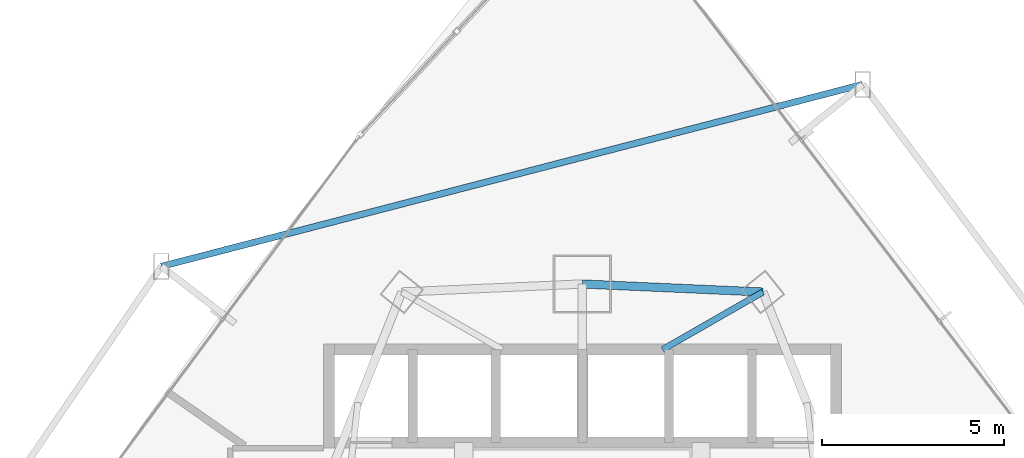
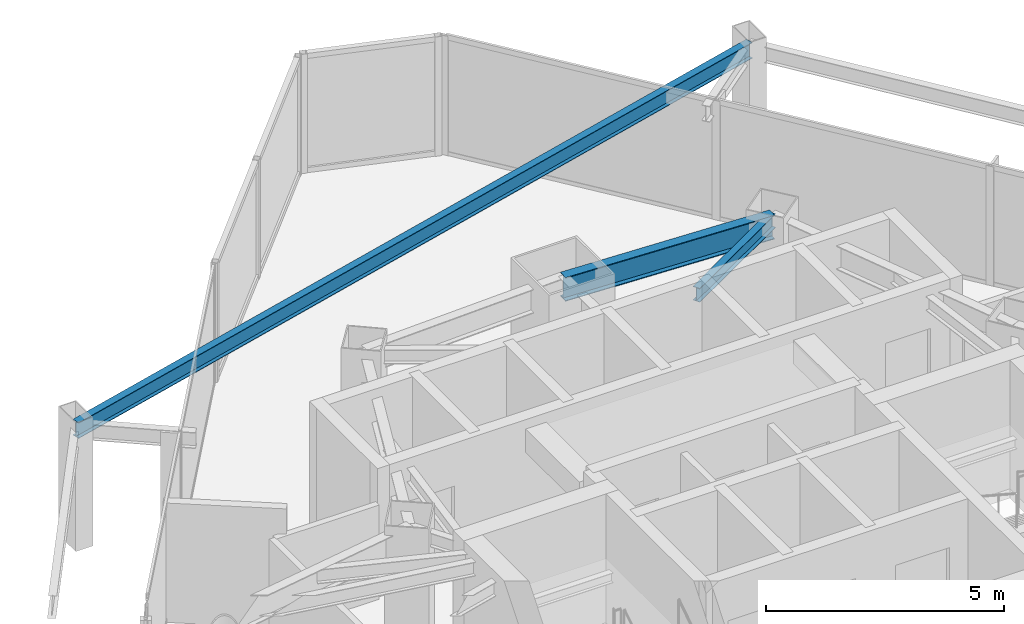
# One storey, part 23 of 34: 3 beams.
"""IFC4 building model written with IfcOpenShell, lengths in metres."""

from ifc_helpers import new_model, si_unit, direction, frame, origin, origin_2d, place, context, subcontext, project, spatial, i_section, extrude, material, material_profile, profile_set, type_object, element, save


model = new_model("IFC4")

# Units and contexts
model_context = context("Model", 3, precision=1e-05, world=origin(), true_north=direction((0.0, 1.0)))
body_context = subcontext(model_context, "Body", "Model", "MODEL_VIEW")
ifc_project = project(units=[si_unit("LENGTHUNIT", "METRE"), si_unit("AREAUNIT", "SQUARE_METRE"), si_unit("VOLUMEUNIT", "CUBIC_METRE"), si_unit("PLANEANGLEUNIT", "RADIAN"), si_unit("MASSUNIT", "GRAM", prefix="KILO")], contexts=[model_context])

# Site, building, storey
site_placement = place(None, origin())
site = spatial("IfcSite", under=ifc_project, at=site_placement, CompositionType="ELEMENT")
building_placement = place(site_placement, origin())
building = spatial("IfcBuilding", under=site, at=building_placement, Name="Orvanel Arch Residences", CompositionType="ELEMENT")
storey_placement = place(building_placement, frame((0.0, 0.0, 67.550048828125)))
storey = spatial("IfcBuildingStorey", under=building, at=storey_placement, Name="L18", CompositionType="ELEMENT", Elevation=67.550048828125)

# Beams
ifc_material = material(Name="Structural steel AS/NZS 3679.1 Grade 300 (300 MPa)", Category="steel")
ifc_material_profile_1 = material_profile(ifc_material, i_section(OverallWidth=0.1708984375, OverallDepth=0.35595703125, WebThickness=0.00732421875, FlangeThickness=0.011474609375, at=origin_2d()), Name="360UB50.7")
ifc_profile_set_1 = profile_set([ifc_material_profile_1], Name="Structural steel AS/NZS 3679.1 Grade 300 (300 MPa)")
beam_type_1 = type_object("IfcBeamType", Name="BJ-360UB", PredefinedType="JOIST", material=ifc_profile_set_1)
beam_1_placement = place(storey_placement, frame((35.199951171875, 39.60009765625, 2.8818359375), z_axis=(0.86736513383, 0.497672306458, 0.0), x_axis=(-0.497672306458, 0.86736513383, 0.0)))
element("IfcBeam", 1, at=beam_1_placement, inside=storey, type_object=beam_type_1, Name="L18 MNE Wing Floor Joist", PredefinedType="JOIST", context=body_context, shape_type="SweptSolid", body=[
    extrude(i_section(OverallWidth=0.1708984375, OverallDepth=0.35595703125, WebThickness=0.00732421875, FlangeThickness=0.011474609375, at=origin_2d()), origin(), (0.0, 0.0, 1.0), 3.17041015625),
])
ifc_material_profile_2 = material_profile(ifc_material, i_section(OverallWidth=0.177978515625, OverallDepth=0.406005859375, WebThickness=0.0078125, FlangeThickness=0.0126953125, at=origin_2d()), Name="410UB59.7")
ifc_profile_set_2 = profile_set([ifc_material_profile_2], Name="Structural steel AS/NZS 3679.1 Grade 300 (300 MPa)")
beam_type_2 = type_object("IfcBeamType", Name="OB-410UB-EXT", PredefinedType="SPANDREL", material=ifc_profile_set_2)
beam_2_placement = place(storey_placement, frame((40.68310546875, 46.867919921875, 2.85693359375), z_axis=(-0.967950984226, -0.251139188768, 0.0), x_axis=(0.251139188768, -0.967950984226, 0.0)))
element("IfcBeam", 2, at=beam_2_placement, inside=storey, type_object=beam_type_2, Name="L18 Outer Perimeter Floor Ring Beam 12", PredefinedType="SPANDREL", context=body_context, shape_type="SweptSolid", body=[
    extrude(i_section(OverallWidth=0.177978515625, OverallDepth=0.406005859375, WebThickness=0.0078125, FlangeThickness=0.0126953125, at=origin_2d()), origin(), (0.0, 0.0, 1.0), 19.861572265625),
])
ifc_material_profile_3 = material_profile(ifc_material, i_section(OverallWidth=0.22900390625, OverallDepth=0.612060546875, WebThickness=0.011962890625, FlangeThickness=0.01953125, at=origin_2d()), Name="610UB125")
ifc_profile_set_3 = profile_set([ifc_material_profile_3], Name="Structural steel AS/NZS 3679.1 Grade 300 (300 MPa)")
beam_type_3 = type_object("IfcBeamType", Name="SP-610UB", PredefinedType="SPANDREL", material=ifc_profile_set_3)
beam_3_placement = place(storey_placement, frame((37.949951171875, 41.177978515625, 2.75390625), z_axis=(-0.999014049296, 0.044395149614, 0.0), x_axis=(-0.044395149614, -0.999014049296, 0.0)))
element("IfcBeam", 3, at=beam_3_placement, inside=storey, type_object=beam_type_3, Name="L18 Perimeter Spandrel Beam 16", PredefinedType="SPANDREL", context=body_context, shape_type="SweptSolid", body=[
    extrude(i_section(OverallWidth=0.22900390625, OverallDepth=0.612060546875, WebThickness=0.011962890625, FlangeThickness=0.01953125, at=origin_2d()), origin(), (0.0, 0.0, 1.0), 4.954833984375),
])

save(model, "model.ifc")
